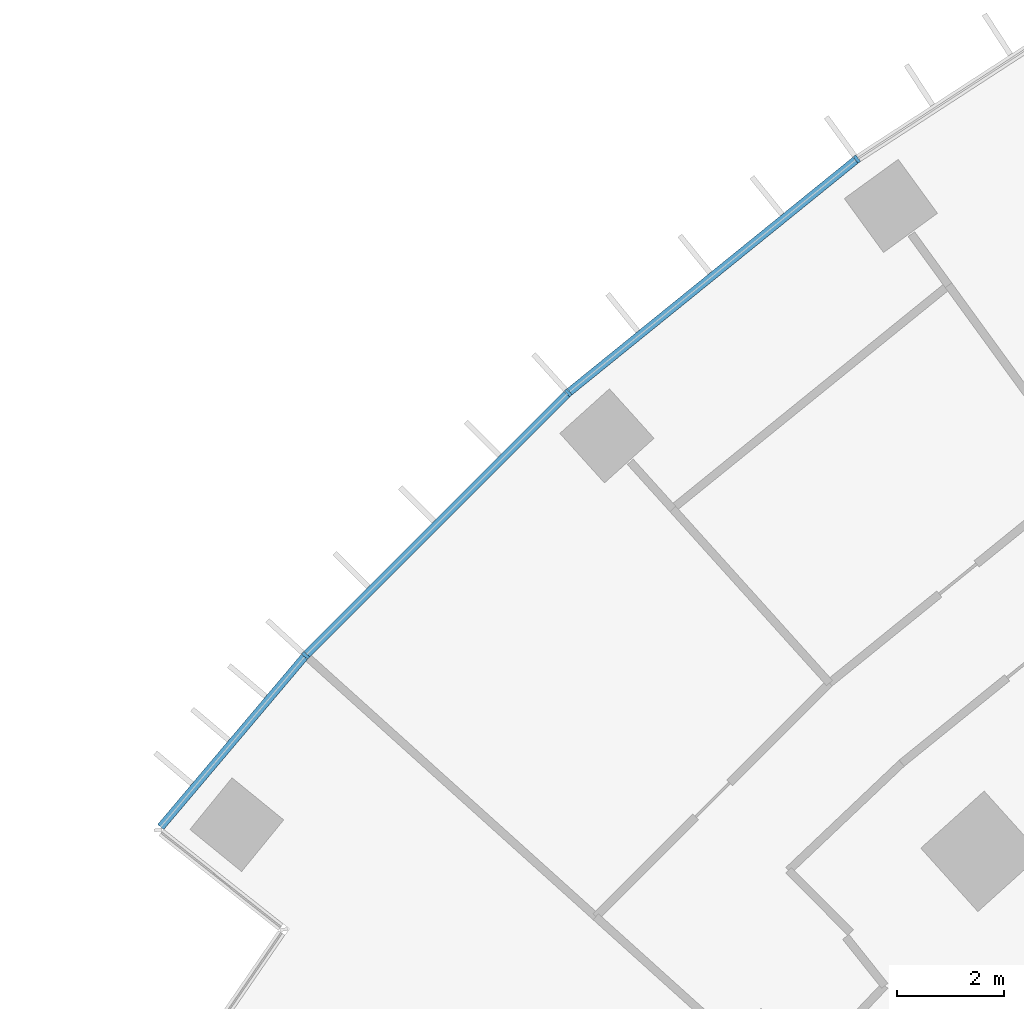
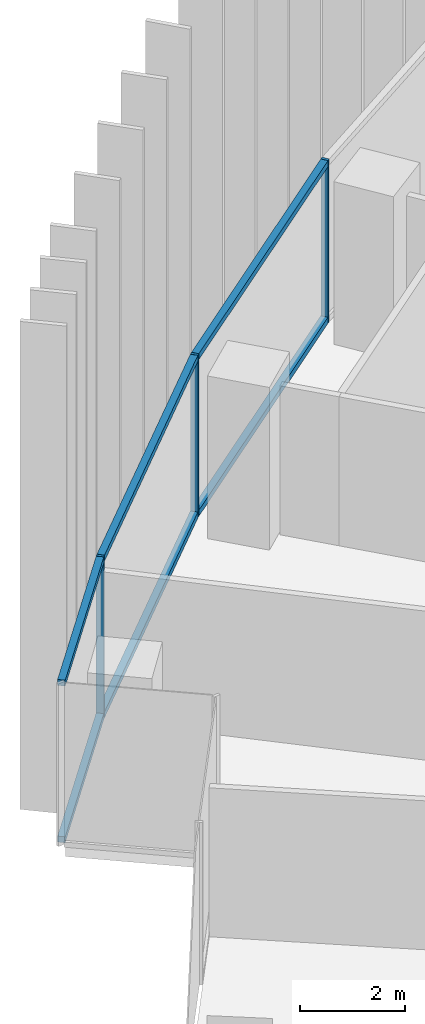
# One storey, part 4 of 25: 9 members, 1 element without a shape of its own.
"""IFC4 building model written with IfcOpenShell, lengths in metres."""

from ifc_helpers import new_model, si_unit, direction, frame, origin, origin_2d, place, context, subcontext, project, spatial, rectangle, extrude, material, layer, layer_set, material_profile, profile_set, type_object, element, aggregate, save


model = new_model("IFC4")

# Units and contexts
model_context = context("Model", 3, precision=1e-05, world=origin(), true_north=direction((0.0, 1.0)))
body_context = subcontext(model_context, "Body", "Model", "MODEL_VIEW")
ifc_project = project(units=[si_unit("LENGTHUNIT", "METRE"), si_unit("AREAUNIT", "SQUARE_METRE"), si_unit("VOLUMEUNIT", "CUBIC_METRE"), si_unit("PLANEANGLEUNIT", "RADIAN"), si_unit("MASSUNIT", "GRAM", prefix="KILO")], contexts=[model_context])

# Site, building, storey
site_placement = place(None, origin())
site = spatial("IfcSite", under=ifc_project, at=site_placement, CompositionType="ELEMENT")
building_placement = place(site_placement, origin())
building = spatial("IfcBuilding", under=site, at=building_placement, Name="Stone Belt Terrace Tower", CompositionType="ELEMENT")
storey_placement = place(building_placement, frame((0.0, 0.0, 52.800048828125)))
storey = spatial("IfcBuildingStorey", under=building, at=storey_placement, Name="L12", CompositionType="ELEMENT", Elevation=52.800048828125)

# Curtain wall, members
ifc_material = material(Name="Aluminium 6063-T6 anodised frame", Category="aluminium")
ifc_layer = layer(ifc_material, 0.14990234375)
ifc_layer_set = layer_set([ifc_layer], Name="CW-A unitised convex-face curtain wall")
curtain_wall_type = type_object("IfcCurtainWallType", Name="CW-A unitised convex-face curtain wall", PredefinedType="NOTDEFINED", material=ifc_layer_set)
curtain_wall_placement = place(storey_placement, origin())
curtain_wall = element("IfcCurtainWall", 1, at=curtain_wall_placement, inside=storey, type_object=curtain_wall_type, Name="CW-A convex face L12", PredefinedType="NOTDEFINED")
ifc_material_profile_1 = material_profile(ifc_material, rectangle(XDim=0.14990234375, YDim=0.06005859375, at=origin_2d()), Name="Aluminium 6063-T6 60x150")
ifc_profile_set_1 = profile_set([ifc_material_profile_1], Name="Aluminium 6063-T6 anodised frame")
member_type_1 = type_object("IfcMemberType", Name="CW-A mullion 60 x 150", PredefinedType="MULLION", material=ifc_profile_set_1)
member_1_placement = place(storey_placement, frame((-39.1318359375, 53.8603515625, 0.0), z_axis=(0.0, 0.0, 1.0), x_axis=(0.587785252292, -0.809016994375, 0.0)))
member_1 = element("IfcMember", 2, at=member_1_placement, type_object=member_type_1, Name="CW-A mullion 16", PredefinedType="MULLION", context=body_context, shape_type="SweptSolid", body=[
    extrude(rectangle(XDim=0.14990234375, YDim=0.06005859375, at=origin_2d()), origin(), (0.0, 0.0, 1.0), 3.800048828125),
])
member_2_placement = place(storey_placement, frame((-44.54736328125, 49.474853515625, 0.0), z_axis=(0.0, 0.0, 1.0), x_axis=(0.669130606359, -0.743144825477, 0.0)))
member_2 = element("IfcMember", 3, at=member_2_placement, type_object=member_type_1, Name="CW-A mullion 17", PredefinedType="MULLION", context=body_context, shape_type="SweptSolid", body=[
    extrude(rectangle(XDim=0.14990234375, YDim=0.06005859375, at=origin_2d()), origin(), (0.0, 0.0, 1.0), 3.800048828125),
])
member_3_placement = place(storey_placement, frame((-49.474365234375, 44.548095703125, 0.0), z_axis=(0.0, 0.0, 1.0), x_axis=(0.73617076011, -0.676795842155, 0.0)))
member_3 = element("IfcMember", 4, at=member_3_placement, type_object=member_type_1, Name="CW-A mullion 18", PredefinedType="MULLION", context=body_context, shape_type="SweptSolid", body=[
    extrude(rectangle(XDim=0.14990234375, YDim=0.06005859375, at=origin_2d()), origin(), (0.0, 0.0, 1.0), 3.800048828125),
])
ifc_material_profile_2 = material_profile(ifc_material, rectangle(XDim=0.14990234375, YDim=0.139892578125, at=origin_2d()), Name="Aluminium 6063-T6 150x140")
ifc_profile_set_2 = profile_set([ifc_material_profile_2], Name="Aluminium 6063-T6 anodised frame")
member_type_2 = type_object("IfcMemberType", Name="CW-A transom 140 x 150", PredefinedType="USERDEFINED", material=ifc_profile_set_2)
member_4_placement = place(storey_placement, frame((-39.158203125, 53.839111328125, 0.070068359375), z_axis=(-0.777141048626, -0.629326457842, 0.0), x_axis=(0.629326457842, -0.777141048626, 0.0)))
member_4 = element("IfcMember", 5, at=member_4_placement, type_object=member_type_2, Name="CW-A transom 16.1", ObjectType="TRANSOM", PredefinedType="USERDEFINED", context=body_context, shape_type="SweptSolid", body=[
    extrude(rectangle(XDim=0.14990234375, YDim=0.139892578125, at=origin_2d()), origin(), (0.0, 0.0, 1.0), 6.900634765625),
])
member_5_placement = place(storey_placement, frame((-39.158203125, 53.839111328125, 3.72998046875), z_axis=(-0.777141048626, -0.629326457842, 0.0), x_axis=(0.629326457842, -0.777141048626, 0.0)))
member_5 = element("IfcMember", 6, at=member_5_placement, type_object=member_type_2, Name="CW-A transom 16.2", ObjectType="TRANSOM", PredefinedType="USERDEFINED", context=body_context, shape_type="SweptSolid", body=[
    extrude(rectangle(XDim=0.14990234375, YDim=0.139892578125, at=origin_2d()), origin(), (0.0, 0.0, 1.0), 6.900634765625),
])
member_6_placement = place(storey_placement, frame((-44.5712890625, 49.450927734375, 0.070068359375), z_axis=(-0.707106781187, -0.707106781187, 0.0), x_axis=(0.707106781187, -0.707106781187, 0.0)))
member_6 = element("IfcMember", 7, at=member_6_placement, type_object=member_type_2, Name="CW-A transom 17.1", ObjectType="TRANSOM", PredefinedType="USERDEFINED", context=body_context, shape_type="SweptSolid", body=[
    extrude(rectangle(XDim=0.14990234375, YDim=0.139892578125, at=origin_2d()), origin(), (0.0, 0.0, 1.0), 6.90087890625),
])
member_7_placement = place(storey_placement, frame((-44.5712890625, 49.450927734375, 3.72998046875), z_axis=(-0.707106781187, -0.707106781187, 0.0), x_axis=(0.707106781187, -0.707106781187, 0.0)))
member_7 = element("IfcMember", 8, at=member_7_placement, type_object=member_type_2, Name="CW-A transom 17.2", ObjectType="TRANSOM", PredefinedType="USERDEFINED", context=body_context, shape_type="SweptSolid", body=[
    extrude(rectangle(XDim=0.14990234375, YDim=0.139892578125, at=origin_2d()), origin(), (0.0, 0.0, 1.0), 6.90087890625),
])
member_8_placement = place(storey_placement, frame((-49.495849609375, 44.522705078125, 0.070068359375), z_axis=(-0.645289935316, -0.763937758839, 0.0), x_axis=(0.763937758839, -0.645289935316, 0.0)))
member_8 = element("IfcMember", 9, at=member_8_placement, type_object=member_type_2, Name="CW-A transom 18.1", ObjectType="TRANSOM", PredefinedType="USERDEFINED", context=body_context, shape_type="SweptSolid", body=[
    extrude(rectangle(XDim=0.14990234375, YDim=0.139892578125, at=origin_2d()), origin(), (0.0, 0.0, 1.0), 4.17919921875),
])
member_9_placement = place(storey_placement, frame((-49.495849609375, 44.522705078125, 3.72998046875), z_axis=(-0.645289935316, -0.763937758839, 0.0), x_axis=(0.763937758839, -0.645289935316, 0.0)))
member_9 = element("IfcMember", 10, at=member_9_placement, type_object=member_type_2, Name="CW-A transom 18.2", ObjectType="TRANSOM", PredefinedType="USERDEFINED", context=body_context, shape_type="SweptSolid", body=[
    extrude(rectangle(XDim=0.14990234375, YDim=0.139892578125, at=origin_2d()), origin(), (0.0, 0.0, 1.0), 4.17919921875),
])
aggregate(curtain_wall, [member_1, member_2, member_3, member_4, member_5, member_6, member_7, member_8, member_9])

save(model, "model.ifc")
